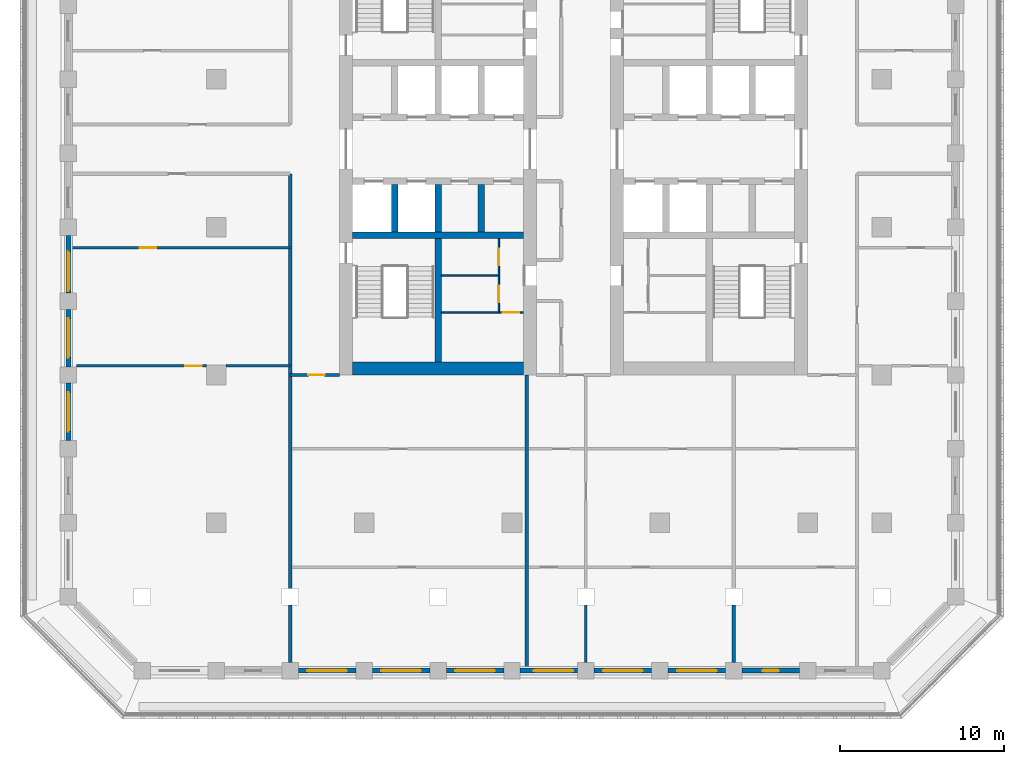
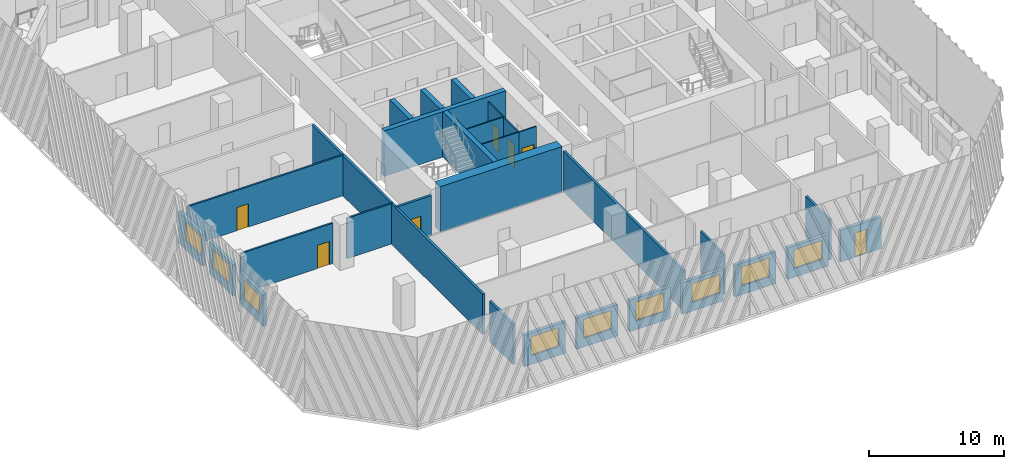
# One storey, part 3 of 17: 30 walls, 9 windows, 7 doors, 16 openings.
"""IFC4 building model written with IfcOpenShell, lengths in metres."""

from ifc_helpers import new_model, si_unit, direction, frame, frame_2d, origin, place, context, subcontext, project, spatial, rectangle, extrude, material, layer, layer_set, type_object, element, fill, save


model = new_model("IFC4")

# Units and contexts
model_context = context("Model", 3, precision=1e-05, world=origin(), true_north=direction((0.0, 1.0)))
body_context = subcontext(model_context, "Body", "Model", "MODEL_VIEW")
ifc_project = project(units=[si_unit("LENGTHUNIT", "METRE"), si_unit("AREAUNIT", "SQUARE_METRE"), si_unit("VOLUMEUNIT", "CUBIC_METRE"), si_unit("PLANEANGLEUNIT", "RADIAN"), si_unit("MASSUNIT", "GRAM", prefix="KILO")], contexts=[model_context])

# Site, building, storey
site_placement = place(None, origin())
site = spatial("IfcSite", under=ifc_project, at=site_placement, CompositionType="ELEMENT")
building_placement = place(site_placement, origin())
building = spatial("IfcBuilding", under=site, at=building_placement, Name="Corbel Stack Research Tower", CompositionType="ELEMENT")
storey_placement = place(building_placement, frame((0.0, 0.0, 156.800048828125)))
storey = spatial("IfcBuildingStorey", under=building, at=storey_placement, Name="L35", CompositionType="ELEMENT", Elevation=156.800048828125)

# Walls
ifc_material_1 = material(Name="Concrete C60/75", Category="concrete")
ifc_layer_1 = layer(ifc_material_1, 0.39990234375)
ifc_layer_set_1 = layer_set([ifc_layer_1], Name="Concrete C60/75")
wall_type_1 = type_object("IfcWallType", Name="CW-400-60", PredefinedType="SHEAR", material=ifc_layer_set_1)
wall_1_placement = place(storey_placement, frame((-9.699951171875, -0.5, 0.0), z_axis=(0.0, 0.0, 1.0), x_axis=(1.0, 0.0, 0.0)))
element("IfcWall", 1, at=wall_1_placement, inside=storey, type_object=wall_type_1, Name="West core wall, south row back L35", PredefinedType="SHEAR", context=body_context, shape_type="SweptSolid", body=[
    extrude(rectangle(XDim=10.39990234375, YDim=0.39990234375, at=frame_2d((5.199951171875, 0.0))), origin(), (0.0, 0.0, 1.0), 4.099853515625),
])
for number, where, z_axis, x_axis, name in (
    (2, (-7.125, -0.300048828125, 0.0), (0.0, 0.0, 1.0), (0.0, 1.0, 0.0), "West core wall, south shaft 1 L35"),
    (3, (-4.5, -0.300048828125, 0.0), (0.0, 0.0, 1.0), (0.0, 1.0, 0.0), "West core wall, south shaft 2 L35"),
    (4, (-1.875, -0.300048828125, 0.0), (0.0, 0.0, 1.0), (0.0, 1.0, 0.0), "West core wall, south shaft 3 L35"),
):
    element("IfcWall", number, at=place(storey_placement, frame(where, z_axis=z_axis, x_axis=x_axis)), inside=storey, type_object=wall_type_1, Name=name, PredefinedType="SHEAR", context=body_context, shape_type="SweptSolid", body=[
        extrude(rectangle(XDim=2.900146484375, YDim=0.39990234375, at=frame_2d((1.4501953125, 0.0))), origin(), (0.0, 0.0, 1.0), 4.099853515625),
    ])
wall_2_placement = place(storey_placement, frame((-4.5, -8.199951171875, 0.0), z_axis=(0.0, 0.0, 1.0), x_axis=(0.0, 1.0, 0.0)))
element("IfcWall", 5, at=wall_2_placement, inside=storey, type_object=wall_type_1, Name="West core wall, south stair and WC L35", PredefinedType="SHEAR", context=body_context, shape_type="SweptSolid", body=[
    extrude(rectangle(XDim=7.5, YDim=0.39990234375, at=frame_2d((3.75, 0.0))), origin(), (0.0, 0.0, 1.0), 4.099853515625),
])
ifc_material_2 = material(Name="Concrete C60/75", Category="concrete")
ifc_layer_2 = layer(ifc_material_2, 0.800048828125)
ifc_layer_set_2 = layer_set([ifc_layer_2], Name="Concrete C60/75")
wall_type_2 = type_object("IfcWallType", Name="CW-800-60", PredefinedType="SHEAR", material=ifc_layer_set_2)
wall_3_placement = place(storey_placement, frame((-9.699951171875, -8.60009765625, 0.0), z_axis=(0.0, 0.0, 1.0), x_axis=(1.0, 0.0, 0.0)))
element("IfcWall", 6, at=wall_3_placement, inside=storey, type_object=wall_type_2, Name="West core wall, south end L35", PredefinedType="SHEAR", context=body_context, shape_type="SweptSolid", body=[
    extrude(rectangle(XDim=10.39990234375, YDim=0.800048828125, at=frame_2d((5.199951171875, 0.0))), origin(), (0.0, 0.0, 1.0), 4.099853515625),
])

# Wall, opening, door
ifc_material_3 = material(Name="Gypsum board")
ifc_layer_3 = layer(ifc_material_3, 0.10009765625)
ifc_layer_set_3 = layer_set([ifc_layer_3], Name="Gypsum board")
wall_type_3 = type_object("IfcWallType", Name="Core partition 100", PredefinedType="PARTITIONING", material=ifc_layer_set_3)
wall_4_placement = place(storey_placement, frame((-0.800048828125, -5.199951171875, 0.0), z_axis=(0.0, 0.0, 1.0), x_axis=(1.0, 0.0, 0.0)))
wall_4 = element("IfcWall", 7, at=wall_4_placement, inside=storey, type_object=wall_type_3, Name="Core partition W", PredefinedType="PARTITIONING", context=body_context, shape_type="SweptSolid", body=[
    extrude(rectangle(XDim=1.5, YDim=0.10009765625, at=frame_2d((0.75, 0.0))), origin(), (0.0, 0.0, 1.0), 3.64990234375),
])
opening_1_placement = place(wall_4_placement, frame((0.25, 0.0, 0.0)))
opening_1 = element("IfcOpeningElement", 8, at=opening_1_placement, cuts=wall_4, Name="Opening CR-W66-W2-1000", PredefinedType="OPENING", context=body_context, shape_type="SweptSolid", body=[
    extrude(rectangle(XDim=1.0, YDim=2.10009765625, at=frame_2d((0.5, 1.050048828125))), frame((0.0, 0.06005859375, 0.0), z_axis=(0.0, -1.0, 0.0), x_axis=(1.0, 0.0, 0.0)), (0.0, 0.0, 1.0), 0.1201171875),
])
ifc_material_4 = material(Name="Painted timber door", Category="wood")
door_type_1 = type_object("IfcDoorType", Name="WC door 1000 x 2100 right hand", OperationType="SINGLE_SWING_RIGHT", PredefinedType="DOOR", material=ifc_material_4)
door_1_placement = place(opening_1_placement, origin())
door_1 = element("IfcDoor", 9, at=door_1_placement, inside=storey, type_object=door_type_1, Name="Accessible WC door W core", OperationType="SINGLE_SWING_RIGHT", OverallHeight=2.10009765625, OverallWidth=1.0, PredefinedType="DOOR", context=body_context, shape_type="SweptSolid", body=[
    extrude(rectangle(XDim=1.0, YDim=2.10009765625, at=frame_2d((0.5, 1.050048828125))), frame((0.0, 0.02490234375, 0.0), z_axis=(0.0, -1.0, 0.0), x_axis=(1.0, 0.0, 0.0)), (0.0, 0.0, 1.0), 0.050048828125),
])
fill(opening_1, door_1)

wall_5_placement = place(storey_placement, frame((-0.800048828125, -5.199951171875, 0.0), z_axis=(0.0, 0.0, 1.0), x_axis=(0.0, 1.0, 0.0)))
wall_5 = element("IfcWall", 10, at=wall_5_placement, inside=storey, type_object=wall_type_3, Name="Core partition W", PredefinedType="PARTITIONING", context=body_context, shape_type="SweptSolid", body=[
    extrude(rectangle(XDim=2.25, YDim=0.10009765625, at=frame_2d((1.125, 0.0))), origin(), (0.0, 0.0, 1.0), 3.64990234375),
])
opening_2_placement = place(wall_5_placement, frame((0.625, 0.0, 0.0)))
opening_2 = element("IfcOpeningElement", 11, at=opening_2_placement, cuts=wall_5, Name="Opening CR-W66-W3-1000", PredefinedType="OPENING", context=body_context, shape_type="SweptSolid", body=[
    extrude(rectangle(XDim=1.0, YDim=2.10009765625, at=frame_2d((0.5, 1.050048828125))), frame((0.0, 0.06005859375, 0.0), z_axis=(0.0, -1.0, 0.0), x_axis=(1.0, 0.0, 0.0)), (0.0, 0.0, 1.0), 0.1201171875),
])
ifc_material_5 = material(Name="Painted timber door", Category="wood")
door_type_2 = type_object("IfcDoorType", Name="WC door 1000 x 2100 left hand", OperationType="SINGLE_SWING_LEFT", PredefinedType="DOOR", material=ifc_material_5)
door_2_placement = place(opening_2_placement, origin())
door_2 = element("IfcDoor", 12, at=door_2_placement, inside=storey, type_object=door_type_2, Name="Men's WC door W core", OperationType="SINGLE_SWING_LEFT", OverallHeight=2.10009765625, OverallWidth=1.0, PredefinedType="DOOR", context=body_context, shape_type="SweptSolid", body=[
    extrude(rectangle(XDim=1.0, YDim=2.10009765625, at=frame_2d((0.5, 1.050048828125))), frame((0.0, 0.02490234375, 0.0), z_axis=(0.0, -1.0, 0.0), x_axis=(1.0, 0.0, 0.0)), (0.0, 0.0, 1.0), 0.050048828125),
])
fill(opening_2, door_2)

wall_6_placement = place(storey_placement, frame((-0.800048828125, -2.949951171875, 0.0), z_axis=(0.0, 0.0, 1.0), x_axis=(0.0, 1.0, 0.0)))
wall_6 = element("IfcWall", 13, at=wall_6_placement, inside=storey, type_object=wall_type_3, Name="Core partition W", PredefinedType="PARTITIONING", context=body_context, shape_type="SweptSolid", body=[
    extrude(rectangle(XDim=2.25, YDim=0.10009765625, at=frame_2d((1.125, 0.0))), origin(), (0.0, 0.0, 1.0), 3.64990234375),
])
opening_3_placement = place(wall_6_placement, frame((0.625, 0.0, 0.0)))
opening_3 = element("IfcOpeningElement", 14, at=opening_3_placement, cuts=wall_6, Name="Opening CR-W66-W4-1000", PredefinedType="OPENING", context=body_context, shape_type="SweptSolid", body=[
    extrude(rectangle(XDim=1.0, YDim=2.10009765625, at=frame_2d((0.5, 1.050048828125))), frame((0.0, 0.06005859375, 0.0), z_axis=(0.0, -1.0, 0.0), x_axis=(1.0, 0.0, 0.0)), (0.0, 0.0, 1.0), 0.1201171875),
])
door_3_placement = place(opening_3_placement, origin())
door_3 = element("IfcDoor", 15, at=door_3_placement, inside=storey, type_object=door_type_1, Name="Women's WC door W core", OperationType="SINGLE_SWING_RIGHT", OverallHeight=2.10009765625, OverallWidth=1.0, PredefinedType="DOOR", context=body_context, shape_type="SweptSolid", body=[
    extrude(rectangle(XDim=1.0, YDim=2.10009765625, at=frame_2d((0.5, 1.050048828125))), frame((0.0, 0.02490234375, 0.0), z_axis=(0.0, -1.0, 0.0), x_axis=(1.0, 0.0, 0.0)), (0.0, 0.0, 1.0), 0.050048828125),
])
fill(opening_3, door_3)

# Walls
for number, where, z_axis, x_axis, name in (
    (16, (-4.300048828125, -5.199951171875, 0.0), (0.0, 0.0, 1.0), (1.0, 0.0, 0.0), "Core partition W"),
    (17, (-4.300048828125, -2.949951171875, 0.0), (0.0, 0.0, 1.0), (1.0, 0.0, 0.0), "Core partition W"),
):
    element("IfcWall", number, at=place(storey_placement, frame(where, z_axis=z_axis, x_axis=x_axis)), inside=storey, type_object=wall_type_3, Name=name, PredefinedType="PARTITIONING", context=body_context, shape_type="SweptSolid", body=[
        extrude(rectangle(XDim=3.5, YDim=0.10009765625, at=frame_2d((1.75, 0.0))), origin(), (0.0, 0.0, 1.0), 3.64990234375),
    ])
ifc_material_6 = material(Name="Fire-rated gypsum board partition on steel studs", Category="steel")
ifc_layer_4 = layer(ifc_material_6, 0.199951171875)
ifc_layer_set_4 = layer_set([ifc_layer_4], Name="Fire-rated gypsum board partition on steel studs")
wall_type_4 = type_object("IfcWallType", Name="Fire-rated partition 200 EI 60", PredefinedType="PARTITIONING", material=ifc_layer_set_4)
wall_7_placement = place(storey_placement, frame((-13.5, -26.5, 0.0), z_axis=(0.0, 0.0, 1.0), x_axis=(0.0, 1.0, 0.0)))
element("IfcWall", 18, at=wall_7_placement, inside=storey, type_object=wall_type_4, Name="Partition L35-001", PredefinedType="PARTITIONING", context=body_context, shape_type="SweptSolid", body=[
    extrude(rectangle(XDim=3.5, YDim=0.199951171875, at=frame_2d((1.75, 0.0))), origin(), (0.0, 0.0, 1.0), 3.64990234375),
])
wall_8_placement = place(storey_placement, frame((-13.5, -22.0, 0.0), z_axis=(0.0, 0.0, 1.0), x_axis=(0.0, 1.0, 0.0)))
element("IfcWall", 19, at=wall_8_placement, inside=storey, type_object=wall_type_4, Name="Partition L35-002", PredefinedType="PARTITIONING", context=body_context, shape_type="SweptSolid", body=[
    extrude(rectangle(XDim=25.25, YDim=0.199951171875, at=frame_2d((12.625, 0.0))), origin(), (0.0, 0.0, 1.0), 3.64990234375),
])
wall_9_placement = place(storey_placement, frame((0.89990234375, -26.85009765625, 0.0), z_axis=(0.0, 0.0, 1.0), x_axis=(0.0, 1.0, 0.0)))
element("IfcWall", 20, at=wall_9_placement, inside=storey, type_object=wall_type_4, Name="Partition L35-006", PredefinedType="PARTITIONING", context=body_context, shape_type="SweptSolid", body=[
    extrude(rectangle(XDim=17.85009765625, YDim=0.199951171875, at=frame_2d((8.925048828125, 0.0))), origin(), (0.0, 0.0, 1.0), 3.64990234375),
])
wall_10_placement = place(storey_placement, frame((13.5, -26.5, 0.0), z_axis=(0.0, 0.0, 1.0), x_axis=(0.0, 1.0, 0.0)))
element("IfcWall", 21, at=wall_10_placement, inside=storey, type_object=wall_type_4, Name="Partition L35-013", PredefinedType="PARTITIONING", context=body_context, shape_type="SweptSolid", body=[
    extrude(rectangle(XDim=3.5, YDim=0.199951171875, at=frame_2d((1.75, 0.0))), origin(), (0.0, 0.0, 1.0), 3.64990234375),
])

# Wall, opening, door
wall_11_placement = place(storey_placement, frame((-10.5, -9.0, 0.0), z_axis=(0.0, 0.0, 1.0), x_axis=(-1.0, 0.0, 0.0)))
wall_11 = element("IfcWall", 22, at=wall_11_placement, inside=storey, type_object=wall_type_4, Name="Partition L35-020", PredefinedType="PARTITIONING", context=body_context, shape_type="SweptSolid", body=[
    extrude(rectangle(XDim=3.0, YDim=0.199951171875, at=frame_2d((1.5, 0.0))), origin(), (0.0, 0.0, 1.0), 3.64990234375),
])
opening_4_placement = place(wall_11_placement, frame((0.89990234375, 0.0, 0.0)))
opening_4 = element("IfcOpeningElement", 23, at=opening_4_placement, cuts=wall_11, Name="Opening B5V0H-009", PredefinedType="OPENING", context=body_context, shape_type="SweptSolid", body=[
    extrude(rectangle(XDim=1.0, YDim=2.10009765625, at=frame_2d((0.5, 1.050048828125))), frame((0.0, 0.10986328125, 0.0), z_axis=(0.0, -1.0, 0.0), x_axis=(1.0, 0.0, 0.0)), (0.0, 0.0, 1.0), 0.219970703125),
])
ifc_material_7 = material(Name="Painted steel fire door", Category="steel")
door_type_3 = type_object("IfcDoorType", Name="Fire door FD30S 1000 x 2100", OperationType="NOTDEFINED", PredefinedType="DOOR", material=ifc_material_7)
door_4_placement = place(opening_4_placement, origin())
door_4 = element("IfcDoor", 24, at=door_4_placement, inside=storey, type_object=door_type_3, Name="Door B5V0H-009", OperationType="SINGLE_SWING_LEFT", OverallHeight=2.10009765625, OverallWidth=1.0, PredefinedType="DOOR", context=body_context, shape_type="SweptSolid", body=[
    extrude(rectangle(XDim=1.0, YDim=2.10009765625, at=frame_2d((0.5, 1.050048828125))), frame((0.0, 0.02490234375, 0.0), z_axis=(0.0, -1.0, 0.0), x_axis=(1.0, 0.0, 0.0)), (0.0, 0.0, 1.0), 0.050048828125),
])
fill(opening_4, door_4)

# Wall
ifc_material_8 = material(Name="Gypsum board partition on steel studs", Category="steel")
ifc_layer_5 = layer(ifc_material_8, 0.14990234375)
ifc_layer_set_5 = layer_set([ifc_layer_5], Name="Gypsum board partition on steel studs")
wall_type_5 = type_object("IfcWallType", Name="Partition 150", PredefinedType="PARTITIONING", material=ifc_layer_set_5)
wall_12_placement = place(storey_placement, frame((4.5, -26.5, 0.0), z_axis=(0.0, 0.0, 1.0), x_axis=(0.0, 1.0, 0.0)))
element("IfcWall", 25, at=wall_12_placement, inside=storey, type_object=wall_type_5, Name="Partition L35-010", PredefinedType="PARTITIONING", context=body_context, shape_type="SweptSolid", body=[
    extrude(rectangle(XDim=3.5, YDim=0.14990234375, at=frame_2d((1.75, 0.0))), origin(), (0.0, 0.0, 1.0), 3.64990234375),
])

# Wall, opening, door
wall_13_placement = place(storey_placement, frame((-18.60009765625, -8.449951171875, 0.0), z_axis=(0.0, 0.0, 1.0), x_axis=(-1.0, 0.0, 0.0)))
wall_13 = element("IfcWall", 26, at=wall_13_placement, inside=storey, type_object=wall_type_5, Name="Partition L35-023", PredefinedType="PARTITIONING", context=body_context, shape_type="SweptSolid", body=[
    extrude(rectangle(XDim=7.89990234375, YDim=0.14990234375, at=frame_2d((3.949951171875, 0.0))), origin(), (0.0, 0.0, 1.0), 3.64990234375),
])
opening_5_placement = place(wall_13_placement, frame((0.300048828125, 0.0, 0.0)))
opening_5 = element("IfcOpeningElement", 27, at=opening_5_placement, cuts=wall_13, Name="Opening B5V0H-012", PredefinedType="OPENING", context=body_context, shape_type="SweptSolid", body=[
    extrude(rectangle(XDim=1.0, YDim=2.10009765625, at=frame_2d((0.5, 1.050048828125))), frame((0.0, 0.0849609375, 0.0), z_axis=(0.0, -1.0, 0.0), x_axis=(1.0, 0.0, 0.0)), (0.0, 0.0, 1.0), 0.169921875),
])
ifc_material_9 = material(Name="Painted timber door", Category="wood")
door_type_4 = type_object("IfcDoorType", Name="Single door 1000 x 2100", OperationType="NOTDEFINED", PredefinedType="DOOR", material=ifc_material_9)
door_5_placement = place(opening_5_placement, origin())
door_5 = element("IfcDoor", 28, at=door_5_placement, inside=storey, type_object=door_type_4, Name="Door B5V0H-012", OperationType="SINGLE_SWING_LEFT", OverallHeight=2.10009765625, OverallWidth=1.0, PredefinedType="DOOR", context=body_context, shape_type="SweptSolid", body=[
    extrude(rectangle(XDim=1.0, YDim=2.10009765625, at=frame_2d((0.5, 1.050048828125))), frame((0.0, 0.02490234375, 0.0), z_axis=(0.0, -1.0, 0.0), x_axis=(1.0, 0.0, 0.0)), (0.0, 0.0, 1.0), 0.050048828125),
])
fill(opening_5, door_5)

# Wall
wall_14_placement = place(storey_placement, frame((-17.39990234375, -8.449951171875, 0.0), z_axis=(0.0, 0.0, 1.0), x_axis=(1.0, 0.0, 0.0)))
element("IfcWall", 29, at=wall_14_placement, inside=storey, type_object=wall_type_5, Name="Partition L35-024", PredefinedType="PARTITIONING", context=body_context, shape_type="SweptSolid", body=[
    extrude(rectangle(XDim=3.89990234375, YDim=0.14990234375, at=frame_2d((1.949951171875, 0.0))), origin(), (0.0, 0.0, 1.0), 3.64990234375),
])

# Wall, opening, door
wall_15_placement = place(storey_placement, frame((-13.5, -1.25, 0.0), z_axis=(0.0, 0.0, 1.0), x_axis=(-1.0, 0.0, 0.0)))
wall_15 = element("IfcWall", 30, at=wall_15_placement, inside=storey, type_object=wall_type_5, Name="Partition L35-029", PredefinedType="PARTITIONING", context=body_context, shape_type="SweptSolid", body=[
    extrude(rectangle(XDim=13.35009765625, YDim=0.14990234375, at=frame_2d((6.675048828125, 0.0))), origin(), (0.0, 0.0, 1.0), 3.64990234375),
])
opening_6_placement = place(wall_15_placement, frame((8.14990234375, 0.0, 0.0)))
opening_6 = element("IfcOpeningElement", 31, at=opening_6_placement, cuts=wall_15, Name="Opening B5V0H-014", PredefinedType="OPENING", context=body_context, shape_type="SweptSolid", body=[
    extrude(rectangle(XDim=1.0, YDim=2.10009765625, at=frame_2d((0.5, 1.050048828125))), frame((0.0, 0.0849609375, 0.0), z_axis=(0.0, -1.0, 0.0), x_axis=(1.0, 0.0, 0.0)), (0.0, 0.0, 1.0), 0.169921875),
])
door_6_placement = place(opening_6_placement, origin())
door_6 = element("IfcDoor", 32, at=door_6_placement, inside=storey, type_object=door_type_4, Name="Door B5V0H-014", OperationType="SINGLE_SWING_RIGHT", OverallHeight=2.10009765625, OverallWidth=1.0, PredefinedType="DOOR", context=body_context, shape_type="SweptSolid", body=[
    extrude(rectangle(XDim=1.0, YDim=2.10009765625, at=frame_2d((0.5, 1.050048828125))), frame((0.0, 0.02490234375, 0.0), z_axis=(0.0, -1.0, 0.0), x_axis=(1.0, 0.0, 0.0)), (0.0, 0.0, 1.0), 0.050048828125),
])
fill(opening_6, door_6)

# Wall, opening, window
ifc_material_10 = material(Name="Concrete C45/55", Category="concrete")
ifc_layer_6 = layer(ifc_material_10, 0.300048828125)
ifc_layer_set_6 = layer_set([ifc_layer_6], Name="Concrete C45/55")
wall_type_6 = type_object("IfcWallType", Name="Terracotta-faced concrete wall 300", PredefinedType="SOLIDWALL", material=ifc_layer_set_6)
wall_16_placement = place(storey_placement, frame((-9.5, -27.0, 0.0), z_axis=(0.0, 0.0, 1.0), x_axis=(-1.0, 0.0, 0.0)))
wall_16 = element("IfcWall", 33, at=wall_16_placement, inside=storey, type_object=wall_type_6, Name="Facade wall L35 S03", PredefinedType="SOLIDWALL", context=body_context, shape_type="SweptSolid", body=[
    extrude(rectangle(XDim=3.5, YDim=0.300048828125, at=frame_2d((1.75, 0.0))), origin(), (0.0, 0.0, 1.0), 2.849853515625),
])
opening_7_placement = place(wall_16_placement, frame((0.550048828125, 0.0, 0.800048828125)))
opening_7 = element("IfcOpeningElement", 34, at=opening_7_placement, cuts=wall_16, Name="Opening W1", PredefinedType="OPENING", context=body_context, shape_type="SweptSolid", body=[
    extrude(rectangle(XDim=2.39990234375, YDim=1.699951171875, at=frame_2d((1.199951171875, 0.85009765625))), frame((0.0, 0.159912109375, 0.0), z_axis=(0.0, -1.0, 0.0), x_axis=(1.0, 0.0, 0.0)), (0.0, 0.0, 1.0), 0.320068359375),
])
ifc_material_11 = material(Name="Aluminium frame, clear double glazing", Category="aluminium")
window_type = type_object("IfcWindowType", Name="Window W1 2400 x 1700", PartitioningType="SINGLE_PANEL", PredefinedType="WINDOW", material=ifc_material_11)
window_1_placement = place(opening_7_placement, origin())
window_1 = element("IfcWindow", 35, at=window_1_placement, inside=storey, type_object=window_type, Name="Window W1 L35 S03", OverallHeight=1.699951171875, OverallWidth=2.39990234375, PartitioningType="SINGLE_PANEL", PredefinedType="WINDOW", context=body_context, shape_type="SweptSolid", body=[
    extrude(rectangle(XDim=2.39990234375, YDim=1.699951171875, at=frame_2d((1.199951171875, 0.85009765625))), frame((0.0, 0.030029296875, 0.0), z_axis=(0.0, -1.0, 0.0), x_axis=(1.0, 0.0, 0.0)), (0.0, 0.0, 1.0), 0.06005859375),
])
fill(opening_7, window_1)

wall_17_placement = place(storey_placement, frame((-5.0, -27.0, 0.0), z_axis=(0.0, 0.0, 1.0), x_axis=(-1.0, 0.0, 0.0)))
wall_17 = element("IfcWall", 36, at=wall_17_placement, inside=storey, type_object=wall_type_6, Name="Facade wall L35 S04", PredefinedType="SOLIDWALL", context=body_context, shape_type="SweptSolid", body=[
    extrude(rectangle(XDim=3.5, YDim=0.300048828125, at=frame_2d((1.75, 0.0))), origin(), (0.0, 0.0, 1.0), 2.849853515625),
])
opening_8_placement = place(wall_17_placement, frame((0.550048828125, 0.0, 0.800048828125)))
opening_8 = element("IfcOpeningElement", 37, at=opening_8_placement, cuts=wall_17, Name="Opening W1", PredefinedType="OPENING", context=body_context, shape_type="SweptSolid", body=[
    extrude(rectangle(XDim=2.39990234375, YDim=1.699951171875, at=frame_2d((1.199951171875, 0.85009765625))), frame((0.0, 0.159912109375, 0.0), z_axis=(0.0, -1.0, 0.0), x_axis=(1.0, 0.0, 0.0)), (0.0, 0.0, 1.0), 0.320068359375),
])
window_2_placement = place(opening_8_placement, origin())
window_2 = element("IfcWindow", 38, at=window_2_placement, inside=storey, type_object=window_type, Name="Window W1 L35 S04", OverallHeight=1.699951171875, OverallWidth=2.39990234375, PartitioningType="SINGLE_PANEL", PredefinedType="WINDOW", context=body_context, shape_type="SweptSolid", body=[
    extrude(rectangle(XDim=2.39990234375, YDim=1.699951171875, at=frame_2d((1.199951171875, 0.85009765625))), frame((0.0, 0.030029296875, 0.0), z_axis=(0.0, -1.0, 0.0), x_axis=(1.0, 0.0, 0.0)), (0.0, 0.0, 1.0), 0.06005859375),
])
fill(opening_8, window_2)

wall_18_placement = place(storey_placement, frame((-0.5, -27.0, 0.0), z_axis=(0.0, 0.0, 1.0), x_axis=(-1.0, 0.0, 0.0)))
wall_18 = element("IfcWall", 39, at=wall_18_placement, inside=storey, type_object=wall_type_6, Name="Facade wall L35 S05", PredefinedType="SOLIDWALL", context=body_context, shape_type="SweptSolid", body=[
    extrude(rectangle(XDim=3.5, YDim=0.300048828125, at=frame_2d((1.75, 0.0))), origin(), (0.0, 0.0, 1.0), 2.849853515625),
])
opening_9_placement = place(wall_18_placement, frame((0.550048828125, 0.0, 0.800048828125)))
opening_9 = element("IfcOpeningElement", 40, at=opening_9_placement, cuts=wall_18, Name="Opening W1", PredefinedType="OPENING", context=body_context, shape_type="SweptSolid", body=[
    extrude(rectangle(XDim=2.39990234375, YDim=1.699951171875, at=frame_2d((1.199951171875, 0.85009765625))), frame((0.0, 0.159912109375, 0.0), z_axis=(0.0, -1.0, 0.0), x_axis=(1.0, 0.0, 0.0)), (0.0, 0.0, 1.0), 0.320068359375),
])
window_3_placement = place(opening_9_placement, origin())
window_3 = element("IfcWindow", 41, at=window_3_placement, inside=storey, type_object=window_type, Name="Window W1 L35 S05", OverallHeight=1.699951171875, OverallWidth=2.39990234375, PartitioningType="SINGLE_PANEL", PredefinedType="WINDOW", context=body_context, shape_type="SweptSolid", body=[
    extrude(rectangle(XDim=2.39990234375, YDim=1.699951171875, at=frame_2d((1.199951171875, 0.85009765625))), frame((0.0, 0.030029296875, 0.0), z_axis=(0.0, -1.0, 0.0), x_axis=(1.0, 0.0, 0.0)), (0.0, 0.0, 1.0), 0.06005859375),
])
fill(opening_9, window_3)

wall_19_placement = place(storey_placement, frame((4.0, -27.0, 0.0), z_axis=(0.0, 0.0, 1.0), x_axis=(-1.0, 0.0, 0.0)))
wall_19 = element("IfcWall", 42, at=wall_19_placement, inside=storey, type_object=wall_type_6, Name="Facade wall L35 S06", PredefinedType="SOLIDWALL", context=body_context, shape_type="SweptSolid", body=[
    extrude(rectangle(XDim=3.5, YDim=0.300048828125, at=frame_2d((1.75, 0.0))), origin(), (0.0, 0.0, 1.0), 2.849853515625),
])
opening_10_placement = place(wall_19_placement, frame((0.27490234375, 0.0, 0.800048828125)))
opening_10 = element("IfcOpeningElement", 43, at=opening_10_placement, cuts=wall_19, Name="Opening W1", PredefinedType="OPENING", context=body_context, shape_type="SweptSolid", body=[
    extrude(rectangle(XDim=2.39990234375, YDim=1.699951171875, at=frame_2d((1.199951171875, 0.85009765625))), frame((0.0, 0.159912109375, 0.0), z_axis=(0.0, -1.0, 0.0), x_axis=(1.0, 0.0, 0.0)), (0.0, 0.0, 1.0), 0.320068359375),
])
window_4_placement = place(opening_10_placement, origin())
window_4 = element("IfcWindow", 44, at=window_4_placement, inside=storey, type_object=window_type, Name="Window W1 L35 S06", OverallHeight=1.699951171875, OverallWidth=2.39990234375, PartitioningType="SINGLE_PANEL", PredefinedType="WINDOW", context=body_context, shape_type="SweptSolid", body=[
    extrude(rectangle(XDim=2.39990234375, YDim=1.699951171875, at=frame_2d((1.199951171875, 0.85009765625))), frame((0.0, 0.030029296875, 0.0), z_axis=(0.0, -1.0, 0.0), x_axis=(1.0, 0.0, 0.0)), (0.0, 0.0, 1.0), 0.06005859375),
])
fill(opening_10, window_4)

wall_20_placement = place(storey_placement, frame((8.5, -27.0, 0.0), z_axis=(0.0, 0.0, 1.0), x_axis=(-1.0, 0.0, 0.0)))
wall_20 = element("IfcWall", 45, at=wall_20_placement, inside=storey, type_object=wall_type_6, Name="Facade wall L35 S07", PredefinedType="SOLIDWALL", context=body_context, shape_type="SweptSolid", body=[
    extrude(rectangle(XDim=3.5, YDim=0.300048828125, at=frame_2d((1.75, 0.0))), origin(), (0.0, 0.0, 1.0), 2.849853515625),
])
opening_11_placement = place(wall_20_placement, frame((0.550048828125, 0.0, 0.800048828125)))
opening_11 = element("IfcOpeningElement", 46, at=opening_11_placement, cuts=wall_20, Name="Opening W1", PredefinedType="OPENING", context=body_context, shape_type="SweptSolid", body=[
    extrude(rectangle(XDim=2.39990234375, YDim=1.699951171875, at=frame_2d((1.199951171875, 0.85009765625))), frame((0.0, 0.159912109375, 0.0), z_axis=(0.0, -1.0, 0.0), x_axis=(1.0, 0.0, 0.0)), (0.0, 0.0, 1.0), 0.320068359375),
])
window_5_placement = place(opening_11_placement, origin())
window_5 = element("IfcWindow", 47, at=window_5_placement, inside=storey, type_object=window_type, Name="Window W1 L35 S07", OverallHeight=1.699951171875, OverallWidth=2.39990234375, PartitioningType="SINGLE_PANEL", PredefinedType="WINDOW", context=body_context, shape_type="SweptSolid", body=[
    extrude(rectangle(XDim=2.39990234375, YDim=1.699951171875, at=frame_2d((1.199951171875, 0.85009765625))), frame((0.0, 0.030029296875, 0.0), z_axis=(0.0, -1.0, 0.0), x_axis=(1.0, 0.0, 0.0)), (0.0, 0.0, 1.0), 0.06005859375),
])
fill(opening_11, window_5)

wall_21_placement = place(storey_placement, frame((13.0, -27.0, 0.0), z_axis=(0.0, 0.0, 1.0), x_axis=(-1.0, 0.0, 0.0)))
wall_21 = element("IfcWall", 48, at=wall_21_placement, inside=storey, type_object=wall_type_6, Name="Facade wall L35 S08", PredefinedType="SOLIDWALL", context=body_context, shape_type="SweptSolid", body=[
    extrude(rectangle(XDim=3.5, YDim=0.300048828125, at=frame_2d((1.75, 0.0))), origin(), (0.0, 0.0, 1.0), 2.849853515625),
])
opening_12_placement = place(wall_21_placement, frame((0.550048828125, 0.0, 0.800048828125)))
opening_12 = element("IfcOpeningElement", 49, at=opening_12_placement, cuts=wall_21, Name="Opening W1", PredefinedType="OPENING", context=body_context, shape_type="SweptSolid", body=[
    extrude(rectangle(XDim=2.39990234375, YDim=1.699951171875, at=frame_2d((1.199951171875, 0.85009765625))), frame((0.0, 0.159912109375, 0.0), z_axis=(0.0, -1.0, 0.0), x_axis=(1.0, 0.0, 0.0)), (0.0, 0.0, 1.0), 0.320068359375),
])
window_6_placement = place(opening_12_placement, origin())
window_6 = element("IfcWindow", 50, at=window_6_placement, inside=storey, type_object=window_type, Name="Window W1 L35 S08", OverallHeight=1.699951171875, OverallWidth=2.39990234375, PartitioningType="SINGLE_PANEL", PredefinedType="WINDOW", context=body_context, shape_type="SweptSolid", body=[
    extrude(rectangle(XDim=2.39990234375, YDim=1.699951171875, at=frame_2d((1.199951171875, 0.85009765625))), frame((0.0, 0.030029296875, 0.0), z_axis=(0.0, -1.0, 0.0), x_axis=(1.0, 0.0, 0.0)), (0.0, 0.0, 1.0), 0.06005859375),
])
fill(opening_12, window_6)

# Wall, opening, door
wall_22_placement = place(storey_placement, frame((17.5, -27.0, 0.0), z_axis=(0.0, 0.0, 1.0), x_axis=(-1.0, 0.0, 0.0)))
wall_22 = element("IfcWall", 51, at=wall_22_placement, inside=storey, type_object=wall_type_6, Name="Facade wall L35 S09", PredefinedType="SOLIDWALL", context=body_context, shape_type="SweptSolid", body=[
    extrude(rectangle(XDim=3.5, YDim=0.300048828125, at=frame_2d((1.75, 0.0))), origin(), (0.0, 0.0, 1.0), 2.849853515625),
])
opening_13_placement = place(wall_22_placement, frame((1.25, 0.0, 0.0)))
opening_13 = element("IfcOpeningElement", 52, at=opening_13_placement, cuts=wall_22, Name="Opening L35-B02", PredefinedType="OPENING", context=body_context, shape_type="SweptSolid", body=[
    extrude(rectangle(XDim=1.0, YDim=2.199951171875, at=frame_2d((0.5, 1.10009765625))), frame((0.0, 0.159912109375, 0.0), z_axis=(0.0, -1.0, 0.0), x_axis=(1.0, 0.0, 0.0)), (0.0, 0.0, 1.0), 0.320068359375),
])
ifc_material_12 = material(Name="Aluminium frame, clear double glazing", Category="aluminium")
door_type_5 = type_object("IfcDoorType", Name="Balcony door BD1 1000 x 2200", OperationType="NOTDEFINED", PredefinedType="DOOR", material=ifc_material_12)
door_7_placement = place(opening_13_placement, origin())
door_7 = element("IfcDoor", 53, at=door_7_placement, inside=storey, type_object=door_type_5, Name="Balcony door L35-B02", OperationType="SINGLE_SWING_RIGHT", OverallHeight=2.199951171875, OverallWidth=1.0, PredefinedType="DOOR", context=body_context, shape_type="SweptSolid", body=[
    extrude(rectangle(XDim=1.0, YDim=2.199951171875, at=frame_2d((0.5, 1.10009765625))), frame((0.0, 0.02490234375, 0.0), z_axis=(0.0, -1.0, 0.0), x_axis=(1.0, 0.0, 0.0)), (0.0, 0.0, 1.0), 0.050048828125),
])
fill(opening_13, door_7)

# Wall, opening, window
wall_23_placement = place(storey_placement, frame((-27.0, -4.0, 0.0), z_axis=(0.0, 0.0, 1.0), x_axis=(0.0, 1.0, 0.0)))
wall_23 = element("IfcWall", 54, at=wall_23_placement, inside=storey, type_object=wall_type_6, Name="Facade wall L35 W06", PredefinedType="SOLIDWALL", context=body_context, shape_type="SweptSolid", body=[
    extrude(rectangle(XDim=3.5, YDim=0.300048828125, at=frame_2d((1.75, 0.0))), origin(), (0.0, 0.0, 1.0), 2.849853515625),
])
opening_14_placement = place(wall_23_placement, frame((0.112548828125, 0.0, 0.800048828125)))
opening_14 = element("IfcOpeningElement", 55, at=opening_14_placement, cuts=wall_23, Name="Opening W1", PredefinedType="OPENING", context=body_context, shape_type="SweptSolid", body=[
    extrude(rectangle(XDim=2.39990234375, YDim=1.699951171875, at=frame_2d((1.199951171875, 0.85009765625))), frame((0.0, 0.159912109375, 0.0), z_axis=(0.0, -1.0, 0.0), x_axis=(1.0, 0.0, 0.0)), (0.0, 0.0, 1.0), 0.320068359375),
])
window_7_placement = place(opening_14_placement, origin())
window_7 = element("IfcWindow", 56, at=window_7_placement, inside=storey, type_object=window_type, Name="Window W1 L35 W06", OverallHeight=1.699951171875, OverallWidth=2.39990234375, PartitioningType="SINGLE_PANEL", PredefinedType="WINDOW", context=body_context, shape_type="SweptSolid", body=[
    extrude(rectangle(XDim=2.39990234375, YDim=1.699951171875, at=frame_2d((1.199951171875, 0.85009765625))), frame((0.0, 0.030029296875, 0.0), z_axis=(0.0, -1.0, 0.0), x_axis=(1.0, 0.0, 0.0)), (0.0, 0.0, 1.0), 0.06005859375),
])
fill(opening_14, window_7)

wall_24_placement = place(storey_placement, frame((-27.0, -8.5, 0.0), z_axis=(0.0, 0.0, 1.0), x_axis=(0.0, 1.0, 0.0)))
wall_24 = element("IfcWall", 57, at=wall_24_placement, inside=storey, type_object=wall_type_6, Name="Facade wall L35 W07", PredefinedType="SOLIDWALL", context=body_context, shape_type="SweptSolid", body=[
    extrude(rectangle(XDim=3.5, YDim=0.300048828125, at=frame_2d((1.75, 0.0))), origin(), (0.0, 0.0, 1.0), 2.849853515625),
])
opening_15_placement = place(wall_24_placement, frame((0.550048828125, 0.0, 0.800048828125)))
opening_15 = element("IfcOpeningElement", 58, at=opening_15_placement, cuts=wall_24, Name="Opening W1", PredefinedType="OPENING", context=body_context, shape_type="SweptSolid", body=[
    extrude(rectangle(XDim=2.39990234375, YDim=1.699951171875, at=frame_2d((1.199951171875, 0.85009765625))), frame((0.0, 0.159912109375, 0.0), z_axis=(0.0, -1.0, 0.0), x_axis=(1.0, 0.0, 0.0)), (0.0, 0.0, 1.0), 0.320068359375),
])
window_8_placement = place(opening_15_placement, origin())
window_8 = element("IfcWindow", 59, at=window_8_placement, inside=storey, type_object=window_type, Name="Window W1 L35 W07", OverallHeight=1.699951171875, OverallWidth=2.39990234375, PartitioningType="SINGLE_PANEL", PredefinedType="WINDOW", context=body_context, shape_type="SweptSolid", body=[
    extrude(rectangle(XDim=2.39990234375, YDim=1.699951171875, at=frame_2d((1.199951171875, 0.85009765625))), frame((0.0, 0.030029296875, 0.0), z_axis=(0.0, -1.0, 0.0), x_axis=(1.0, 0.0, 0.0)), (0.0, 0.0, 1.0), 0.06005859375),
])
fill(opening_15, window_8)

wall_25_placement = place(storey_placement, frame((-27.0, -13.0, 0.0), z_axis=(0.0, 0.0, 1.0), x_axis=(0.0, 1.0, 0.0)))
wall_25 = element("IfcWall", 60, at=wall_25_placement, inside=storey, type_object=wall_type_6, Name="Facade wall L35 W08", PredefinedType="SOLIDWALL", context=body_context, shape_type="SweptSolid", body=[
    extrude(rectangle(XDim=3.5, YDim=0.300048828125, at=frame_2d((1.75, 0.0))), origin(), (0.0, 0.0, 1.0), 2.849853515625),
])
opening_16_placement = place(wall_25_placement, frame((0.550048828125, 0.0, 0.800048828125)))
opening_16 = element("IfcOpeningElement", 61, at=opening_16_placement, cuts=wall_25, Name="Opening W1", PredefinedType="OPENING", context=body_context, shape_type="SweptSolid", body=[
    extrude(rectangle(XDim=2.39990234375, YDim=1.699951171875, at=frame_2d((1.199951171875, 0.85009765625))), frame((0.0, 0.159912109375, 0.0), z_axis=(0.0, -1.0, 0.0), x_axis=(1.0, 0.0, 0.0)), (0.0, 0.0, 1.0), 0.320068359375),
])
window_9_placement = place(opening_16_placement, origin())
window_9 = element("IfcWindow", 62, at=window_9_placement, inside=storey, type_object=window_type, Name="Window W1 L35 W08", OverallHeight=1.699951171875, OverallWidth=2.39990234375, PartitioningType="SINGLE_PANEL", PredefinedType="WINDOW", context=body_context, shape_type="SweptSolid", body=[
    extrude(rectangle(XDim=2.39990234375, YDim=1.699951171875, at=frame_2d((1.199951171875, 0.85009765625))), frame((0.0, 0.030029296875, 0.0), z_axis=(0.0, -1.0, 0.0), x_axis=(1.0, 0.0, 0.0)), (0.0, 0.0, 1.0), 0.06005859375),
])
fill(opening_16, window_9)

save(model, "model.ifc")
